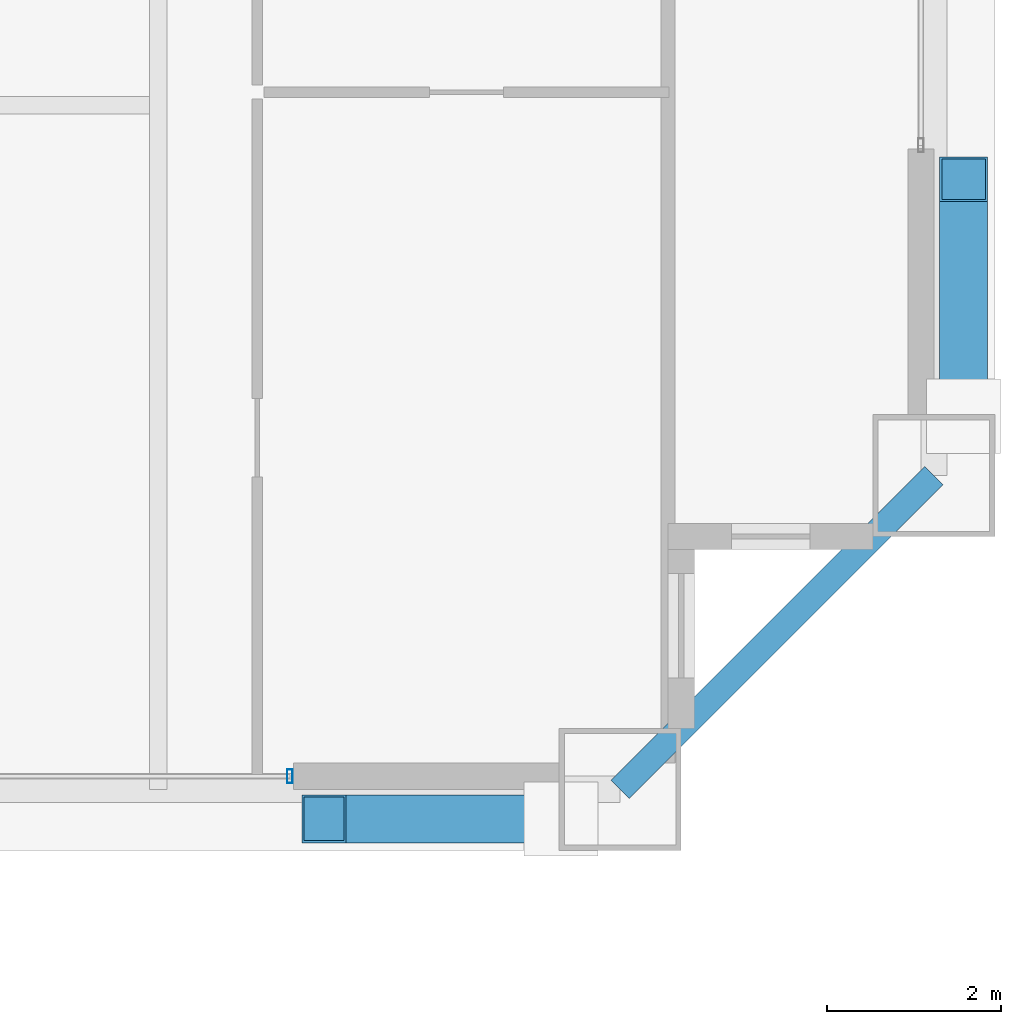
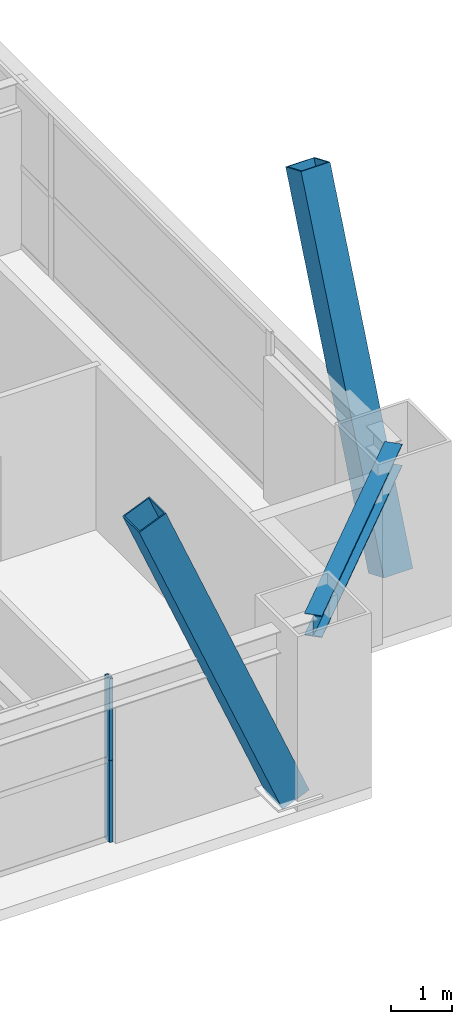
# One storey, part 20 of 45: 4 members, 1 beam, 1 element without a shape of its own.
"""IFC4 building model written with IfcOpenShell, lengths in metres."""

from ifc_helpers import new_model, si_unit, direction, frame, origin, origin_2d, place, context, subcontext, project, spatial, hollow_rectangle, i_section, extrude, source, transform, mapped, material, layer, layer_set, material_profile, profile_set, type_object, element, aggregate, save


model = new_model("IFC4")

# Units and contexts
model_context = context("Model", 3, precision=1e-05, world=origin(), true_north=direction((0.0, 1.0)))
body_context = subcontext(model_context, "Body", "Model", "MODEL_VIEW")
ifc_project = project(units=[si_unit("LENGTHUNIT", "METRE"), si_unit("AREAUNIT", "SQUARE_METRE"), si_unit("VOLUMEUNIT", "CUBIC_METRE"), si_unit("PLANEANGLEUNIT", "RADIAN"), si_unit("MASSUNIT", "GRAM", prefix="KILO"), si_unit("THERMODYNAMICTEMPERATUREUNIT", "KELVIN"), si_unit("POWERUNIT", "WATT")], contexts=[model_context])

# Site, building, storey
site_placement = place(None, origin())
site = spatial("IfcSite", under=ifc_project, at=site_placement, CompositionType="ELEMENT")
building_placement = place(site_placement, origin())
building = spatial("IfcBuilding", under=site, at=building_placement, Name="Yuzanri Waterfront Tower", CompositionType="ELEMENT")
storey_placement = place(building_placement, frame((0.0, 0.0, 212.5)))
storey = spatial("IfcBuildingStorey", under=building, at=storey_placement, Name="L56", CompositionType="ELEMENT", Elevation=212.5)

# Beam
ifc_material_1 = material(Name="Steel Q355B", Category="steel")
ifc_material_profile_1 = material_profile(ifc_material_1, i_section(OverallWidth=0.300048828125, OverallDepth=0.43994140625, WebThickness=0.010986328125, FlangeThickness=0.01806640625, at=origin_2d()), Name="HM 440x300x11x18")
ifc_profile_set_1 = profile_set([ifc_material_profile_1], Name="Steel Q355B")
beam_type = type_object("IfcBeamType", Name="Perimeter Spandrel Q355B HM 440x300", PredefinedType="SPANDREL", material=ifc_profile_set_1)
shared_shape_1 = source(origin(), body_context, "Body", "SweptSolid", [
    extrude(i_section(OverallWidth=0.300048828125, OverallDepth=0.43994140625, WebThickness=0.010986328125, FlangeThickness=0.01806640625, at=origin_2d()), origin(), (0.0, 0.0, 1.0), 5.09130859375),
])
beam_placement = place(storey_placement, frame((55.5, 3.699951171875, 3.06005859375), z_axis=(0.707106781187, 0.707106781187, 0.0), x_axis=(-0.707106781187, 0.707106781187, 0.0)))
element("IfcBeam", 1, at=beam_placement, inside=storey, type_object=beam_type, Name="L56 Perimeter Spandrel S3-E1", PredefinedType="SPANDREL", context=body_context, shape_type="MappedRepresentation", body=[
    mapped(shared_shape_1, transform((0.0, 0.0, 0.0), scale=1.0)),
])

# Members
ifc_material_2 = material(Name="Steel Q390GJC", Category="steel")
ifc_material_profile_2 = material_profile(ifc_material_2, hollow_rectangle(XDim=0.550048828125, YDim=0.550048828125, WallThickness=0.02490234375, at=origin_2d()), Name="RHS 550x550x25")
ifc_profile_set_2 = profile_set([ifc_material_profile_2], Name="Steel Q390GJC")
member_type_1 = type_object("IfcMemberType", Name="Mega Brace Mid Q390GJC RHS 550x550x25", PredefinedType="BRACE", material=ifc_profile_set_2)
shared_shape_2 = source(origin(), body_context, "Body", "SweptSolid", [
    extrude(hollow_rectangle(XDim=0.550048828125, YDim=0.550048828125, WallThickness=0.02490234375, at=origin_2d()), origin(), (0.0, 0.0, 1.0), 7.046142578125),
])
for number, where, z_axis, x_axis, name in (
    (2, (54.820068359375, 3.360107421875, 0.179931640625), (-0.386022211732, 0.0, 0.922489486146), (0.0, -1.0, 0.0), "L56-L57 Perimeter Mega-Brace S-R"),
    (3, (59.43994140625, 7.97998046875, 0.179931640625), (0.0, 0.386022211732, 0.922489486146), (-1.0, 0.0, 0.0), "L56-L57 Perimeter Mega-Brace E-L"),
):
    element("IfcMember", number, at=place(storey_placement, frame(where, z_axis=z_axis, x_axis=x_axis)), inside=storey, type_object=member_type_1, Name=name, PredefinedType="BRACE", context=body_context, shape_type="MappedRepresentation", body=[
        mapped(shared_shape_2, transform((0.0, 0.0, 0.0), scale=1.0)),
    ])

# Curtain wall, members
ifc_material_3 = material(Name="Anodized Architectural Bronze", Category="metal")
ifc_layer = layer(ifc_material_3, 0.159912109375)
ifc_layer_set = layer_set([ifc_layer], Name="Anodized Architectural Bronze")
curtain_wall_type = type_object("IfcCurtainWallType", Name="Anodized Bronze Mid-Rise Residential Acoustic Unitized Curtain Wall 7200", PredefinedType="NOTDEFINED", material=ifc_layer_set)
curtain_wall_placement = place(storey_placement, origin())
curtain_wall = element("IfcCurtainWall", 4, at=curtain_wall_placement, inside=storey, type_object=curtain_wall_type, Name="L56 Curtain Wall CW-L56-SR2", PredefinedType="NOTDEFINED")
ifc_material_4 = material(Name="Anodized Architectural Bronze", Category="metal")
ifc_material_profile_3 = material_profile(ifc_material_4, hollow_rectangle(XDim=0.06494140625, YDim=0.159912109375, WallThickness=0.00341796875, at=origin_2d()), Name="CWM 65x160")
ifc_profile_set_3 = profile_set([ifc_material_profile_3], Name="Anodized Architectural Bronze")
member_type_2 = type_object("IfcMemberType", Name="Anodized Bronze Upper-Zone Curtain-Wall Mullion 65x160", PredefinedType="MULLION", material=ifc_profile_set_3)
shared_shape_3 = source(origin(), body_context, "Body", "SweptSolid", [
    extrude(hollow_rectangle(XDim=0.06494140625, YDim=0.159912109375, WallThickness=0.00341796875, at=origin_2d()), origin(), (0.0, 0.0, 1.0), 1.637939453125),
])
member_1_placement = place(storey_placement, frame((51.7099609375, 3.85009765625, 0.0), z_axis=(0.0, 0.0, 1.0), x_axis=(1.0, 0.0, 0.0)))
member_1 = element("IfcMember", 5, at=member_1_placement, type_object=member_type_2, Name="CW-L56-SR2 Lower Mullion 02", PredefinedType="MULLION", context=body_context, shape_type="MappedRepresentation", body=[
    mapped(shared_shape_3, transform((0.0, 0.0, 0.0), scale=1.0)),
])
member_2_placement = place(storey_placement, frame((51.7099609375, 3.85009765625, 1.64208984375), z_axis=(0.0, 0.0, 1.0), x_axis=(1.0, 0.0, 0.0)))
member_2 = element("IfcMember", 6, at=member_2_placement, type_object=member_type_2, Name="CW-L56-SR2 Upper Mullion 02", PredefinedType="MULLION", context=body_context, shape_type="MappedRepresentation", body=[
    mapped(shared_shape_3, transform((0.0, 0.0, 0.0), scale=1.0)),
])
aggregate(curtain_wall, [member_1, member_2])

save(model, "model.ifc")
